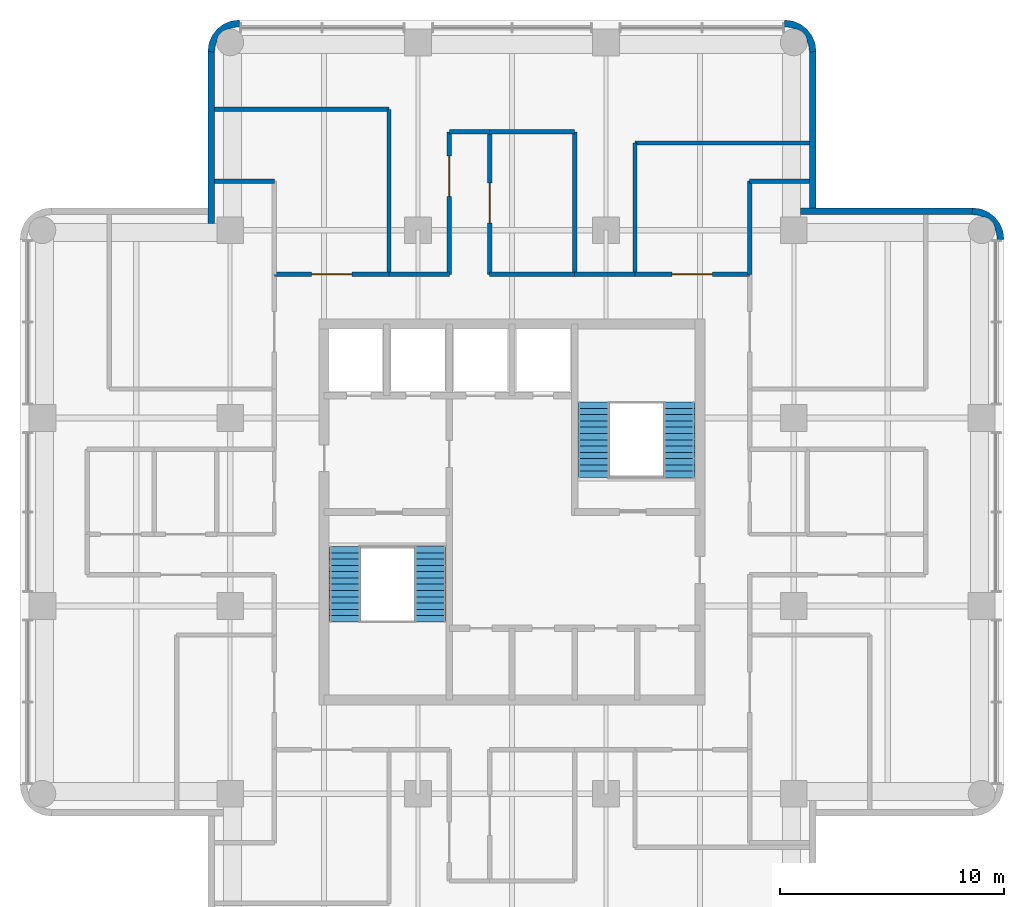
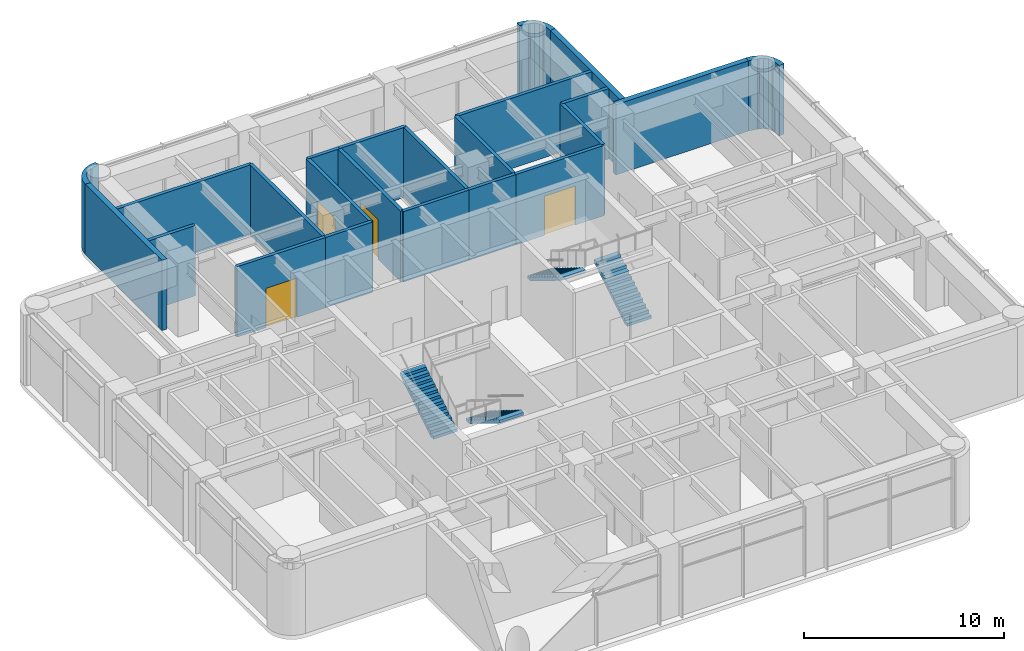
# One storey, part 7 of 8: 23 walls, 4 doors, 4 stair flights, 4 openings, 2 elements without a shape of their own.
"""IFC4 building model written with IfcOpenShell, lengths in metres."""

from ifc_helpers import new_model, si_unit, direction, frame, frame_2d, origin, place, context, subcontext, project, spatial, polyline, rectangle, outline, extrude, material, layer, layer_set, type_object, element, fill, aggregate, save


model = new_model("IFC4")

# Units and contexts
model_context = context("Model", 3, precision=1e-05, world=origin(), true_north=direction((0.0, 1.0)))
body_context = subcontext(model_context, "Body", "Model", "MODEL_VIEW")
ifc_project = project(units=[si_unit("LENGTHUNIT", "METRE"), si_unit("AREAUNIT", "SQUARE_METRE"), si_unit("VOLUMEUNIT", "CUBIC_METRE"), si_unit("PLANEANGLEUNIT", "RADIAN"), si_unit("MASSUNIT", "GRAM", prefix="KILO")], contexts=[model_context])

# Site, building, storey
site_placement = place(None, origin())
site = spatial("IfcSite", under=ifc_project, at=site_placement, CompositionType="ELEMENT")
building_placement = place(site_placement, origin())
building = spatial("IfcBuilding", under=site, at=building_placement, Name="Torre Alcanfor", CompositionType="ELEMENT")
storey_placement = place(building_placement, frame((0.0, 0.0, 305.39990234375)))
storey = spatial("IfcBuildingStorey", under=building, at=storey_placement, Name="L80", CompositionType="ELEMENT", Elevation=305.39990234375)

# Walls
ifc_material_1 = material(Name="Limestone cladding", Category="masonry")
ifc_layer_1 = layer(ifc_material_1, 0.0400390625, Name="Facing")
ifc_material_2 = material(Name="Ventilated air cavity")
ifc_layer_2 = layer(ifc_material_2, 0.02001953125, ventilated=True, Name="Ventilated joint")
ifc_material_3 = material(Name="Mineral wool insulation", Category="insulation")
ifc_layer_3 = layer(ifc_material_3, 0.10009765625, Name="Insulation")
ifc_material_4 = material(Name="Concrete f'c 35 MPa", Category="concrete")
ifc_layer_4 = layer(ifc_material_4, 0.139892578125, Name="Backing")
ifc_layer_set_1 = layer_set([ifc_layer_1, ifc_layer_2, ifc_layer_3, ifc_layer_4], Name="External wall stone-clad 300")
wall_type_1 = type_object("IfcWallType", Name="External wall stone-clad 300", PredefinedType="SOLIDWALL", material=ifc_layer_set_1)
wall_1_placement = place(storey_placement, frame((50.0, 42.85009765625, 0.0), z_axis=(0.0, 0.0, 1.0), x_axis=(-1.0, 0.0, 0.0)))
element("IfcWall", 1, at=wall_1_placement, inside=storey, type_object=wall_type_1, Name="External wall L80 9", PredefinedType="SOLIDWALL", context=body_context, shape_type="SweptSolid", body=[
    extrude(rectangle(XDim=7.699951171875, YDim=0.300048828125, at=frame_2d((3.85009765625, 0.0))), origin(), (0.0, 0.0, 1.0), 4.300048828125),
])
wall_2_placement = place(storey_placement, frame((42.85009765625, 43.0, 0.0), z_axis=(0.0, 0.0, 1.0), x_axis=(0.0, 1.0, 0.0)))
element("IfcWall", 2, at=wall_2_placement, inside=storey, type_object=wall_type_1, Name="External wall L80 10", PredefinedType="SOLIDWALL", context=body_context, shape_type="SweptSolid", body=[
    extrude(rectangle(XDim=7.0, YDim=0.300048828125, at=frame_2d((3.5, 0.0))), origin(), (0.0, 0.0, 1.0), 4.300048828125),
])
wall_3_placement = place(storey_placement, frame((15.949951171875, 50.0, 0.0), z_axis=(0.0, 0.0, 1.0), x_axis=(0.0, -1.0, 0.0)))
element("IfcWall", 3, at=wall_3_placement, inside=storey, type_object=wall_type_1, Name="External wall L80 12", PredefinedType="SOLIDWALL", context=body_context, shape_type="SweptSolid", body=[
    extrude(rectangle(XDim=7.699951171875, YDim=0.300048828125, at=frame_2d((3.85009765625, 0.0))), origin(), (0.0, 0.0, 1.0), 4.300048828125),
])

# Wall, opening, door
ifc_material_5 = material(Name="Concrete block masonry, hollow blocks NMX-C-404 9 MPa", Category="masonry")
ifc_layer_5 = layer(ifc_material_5, 0.199951171875)
ifc_layer_set_2 = layer_set([ifc_layer_5], Name="Plant room wall 200 EI 60")
wall_type_2 = type_object("IfcWallType", Name="Plant room wall 200 EI 60", PredefinedType="PARTITIONING", material=ifc_layer_set_2)
wall_4_placement = place(storey_placement, frame((18.77490234375, 40.02490234375, 0.0), z_axis=(0.0, 0.0, 1.0), x_axis=(1.0, 0.0, 0.0)))
wall_4 = element("IfcWall", 4, at=wall_4_placement, inside=storey, type_object=wall_type_2, Name="Partition L80-CORR / L80-N1", PredefinedType="PARTITIONING", context=body_context, shape_type="SweptSolid", body=[
    extrude(rectangle(XDim=5.125, YDim=0.199951171875, at=frame_2d((2.5625, 0.0))), origin(), (0.0, 0.0, 1.0), 4.300048828125),
])
opening_1_placement = place(wall_4_placement, frame((1.66259765625, 0.0, 0.0)))
opening_1 = element("IfcOpeningElement", 5, at=opening_1_placement, cuts=wall_4, Name="Opening D-P1", PredefinedType="OPENING", context=body_context, shape_type="SweptSolid", body=[
    extrude(rectangle(XDim=1.800048828125, YDim=2.39990234375, at=frame_2d((0.89990234375, 1.199951171875))), frame((0.0, 0.10986328125, 0.0), z_axis=(0.0, -1.0, 0.0), x_axis=(1.0, 0.0, 0.0)), (0.0, 0.0, 1.0), 0.219970703125),
])
ifc_material_6 = material(Name="Galvanised steel sheet ASTM A653", Category="steel")
door_type = type_object("IfcDoorType", Name="Plant room door FD60 1800x2400", OperationType="DOUBLE_DOOR_SINGLE_SWING", PredefinedType="DOOR", material=ifc_material_6)
door_1_placement = place(opening_1_placement, origin())
door_1 = element("IfcDoor", 6, at=door_1_placement, inside=storey, type_object=door_type, Name="Door L80-N1 smoke extract fan plant room", OperationType="DOUBLE_DOOR_SINGLE_SWING", OverallHeight=2.39990234375, OverallWidth=1.800048828125, PredefinedType="DOOR", context=body_context, shape_type="SweptSolid", body=[
    extrude(rectangle(XDim=1.800048828125, YDim=2.39990234375, at=frame_2d((0.89990234375, 1.199951171875))), frame((0.0, 0.02490234375, 0.0), z_axis=(0.0, -1.0, 0.0), x_axis=(1.0, 0.0, 0.0)), (0.0, 0.0, 1.0), 0.050048828125),
])
fill(opening_1, door_1)

wall_5_placement = place(storey_placement, frame((34.89990234375, 40.02490234375, 0.0), z_axis=(0.0, 0.0, 1.0), x_axis=(1.0, 0.0, 0.0)))
wall_5 = element("IfcWall", 7, at=wall_5_placement, inside=storey, type_object=wall_type_2, Name="Partition L80-CORR / L80-N2", PredefinedType="PARTITIONING", context=body_context, shape_type="SweptSolid", body=[
    extrude(rectangle(XDim=5.125, YDim=0.199951171875, at=frame_2d((2.5625, 0.0))), origin(), (0.0, 0.0, 1.0), 4.300048828125),
])
opening_2_placement = place(wall_5_placement, frame((1.66259765625, 0.0, 0.0)))
opening_2 = element("IfcOpeningElement", 8, at=opening_2_placement, cuts=wall_5, Name="Opening D-P1", PredefinedType="OPENING", context=body_context, shape_type="SweptSolid", body=[
    extrude(rectangle(XDim=1.800048828125, YDim=2.39990234375, at=frame_2d((0.89990234375, 1.199951171875))), frame((0.0, 0.10986328125, 0.0), z_axis=(0.0, -1.0, 0.0), x_axis=(1.0, 0.0, 0.0)), (0.0, 0.0, 1.0), 0.219970703125),
])
door_2_placement = place(opening_2_placement, origin())
door_2 = element("IfcDoor", 9, at=door_2_placement, inside=storey, type_object=door_type, Name="Door L80-N2 kitchen extract fan plant room", OperationType="DOUBLE_DOOR_SINGLE_SWING", OverallHeight=2.39990234375, OverallWidth=1.800048828125, PredefinedType="DOOR", context=body_context, shape_type="SweptSolid", body=[
    extrude(rectangle(XDim=1.800048828125, YDim=2.39990234375, at=frame_2d((0.89990234375, 1.199951171875))), frame((0.0, 0.02490234375, 0.0), z_axis=(0.0, -1.0, 0.0), x_axis=(1.0, 0.0, 0.0)), (0.0, 0.0, 1.0), 0.050048828125),
])
fill(opening_2, door_2)

# Walls
wall_6_placement = place(storey_placement, frame((28.39990234375, 40.02490234375, 0.0), z_axis=(0.0, 0.0, 1.0), x_axis=(1.0, 0.0, 0.0)))
element("IfcWall", 10, at=wall_6_placement, inside=storey, type_object=wall_type_2, Name="Partition L80-CORR / L80-N3", PredefinedType="PARTITIONING", context=body_context, shape_type="SweptSolid", body=[
    extrude(rectangle(XDim=3.800048828125, YDim=0.199951171875, at=frame_2d((1.89990234375, 0.0))), origin(), (0.0, 0.0, 1.0), 4.300048828125),
])
wall_7_placement = place(storey_placement, frame((23.89990234375, 40.02490234375, 0.0), z_axis=(0.0, 0.0, 1.0), x_axis=(1.0, 0.0, 0.0)))
element("IfcWall", 11, at=wall_7_placement, inside=storey, type_object=wall_type_2, Name="Partition L80-CORR / L80-NH", PredefinedType="PARTITIONING", context=body_context, shape_type="SweptSolid", body=[
    extrude(rectangle(XDim=2.7001953125, YDim=0.199951171875, at=frame_2d((1.35009765625, 0.0))), origin(), (0.0, 0.0, 1.0), 4.300048828125),
])
wall_8_placement = place(storey_placement, frame((32.199951171875, 40.02490234375, 0.0), z_axis=(0.0, 0.0, 1.0), x_axis=(1.0, 0.0, 0.0)))
element("IfcWall", 12, at=wall_8_placement, inside=storey, type_object=wall_type_2, Name="Partition L80-CORR / L80-NH", PredefinedType="PARTITIONING", context=body_context, shape_type="SweptSolid", body=[
    extrude(rectangle(XDim=2.699951171875, YDim=0.199951171875, at=frame_2d((1.35009765625, 0.0))), origin(), (0.0, 0.0, 1.0), 4.300048828125),
])
wall_9_placement = place(storey_placement, frame((16.10009765625, 47.39990234375, 0.0), z_axis=(0.0, 0.0, 1.0), x_axis=(1.0, 0.0, 0.0)))
element("IfcWall", 13, at=wall_9_placement, inside=storey, type_object=wall_type_2, Name="Partition L80-N1 / L80-NH", PredefinedType="PARTITIONING", context=body_context, shape_type="SweptSolid", body=[
    extrude(rectangle(XDim=7.7998046875, YDim=0.199951171875, at=frame_2d((3.89990234375, 0.0))), origin(), (0.0, 0.0, 1.0), 4.300048828125),
])
wall_10_placement = place(storey_placement, frame((23.89990234375, 47.39990234375, 0.0), z_axis=(0.0, 0.0, 1.0), x_axis=(0.0, -1.0, 0.0)))
element("IfcWall", 14, at=wall_10_placement, inside=storey, type_object=wall_type_2, Name="Partition L80-N1 / L80-NH", PredefinedType="PARTITIONING", context=body_context, shape_type="SweptSolid", body=[
    extrude(rectangle(XDim=7.375, YDim=0.199951171875, at=frame_2d((3.6875, 0.0))), origin(), (0.0, 0.0, 1.0), 4.300048828125),
])
wall_11_placement = place(storey_placement, frame((18.77490234375, 44.199951171875, 0.0), z_axis=(0.0, 0.0, 1.0), x_axis=(-1.0, 0.0, 0.0)))
element("IfcWall", 15, at=wall_11_placement, inside=storey, type_object=wall_type_2, Name="Partition L80-N1 / L80-W2", PredefinedType="PARTITIONING", context=body_context, shape_type="SweptSolid", body=[
    extrude(rectangle(XDim=2.6748046875, YDim=0.199951171875, at=frame_2d((1.33740234375, 0.0))), origin(), (0.0, 0.0, 1.0), 4.300048828125),
])
wall_12_placement = place(storey_placement, frame((34.89990234375, 40.02490234375, 0.0), z_axis=(0.0, 0.0, 1.0), x_axis=(0.0, 1.0, 0.0)))
element("IfcWall", 16, at=wall_12_placement, inside=storey, type_object=wall_type_2, Name="Partition L80-N2 / L80-NH", PredefinedType="PARTITIONING", context=body_context, shape_type="SweptSolid", body=[
    extrude(rectangle(XDim=5.875, YDim=0.199951171875, at=frame_2d((2.9375, 0.0))), origin(), (0.0, 0.0, 1.0), 4.300048828125),
])
wall_13_placement = place(storey_placement, frame((34.89990234375, 45.89990234375, 0.0), z_axis=(0.0, 0.0, 1.0), x_axis=(1.0, 0.0, 0.0)))
element("IfcWall", 17, at=wall_13_placement, inside=storey, type_object=wall_type_2, Name="Partition L80-N2 / L80-NH", PredefinedType="PARTITIONING", context=body_context, shape_type="SweptSolid", body=[
    extrude(rectangle(XDim=7.800048828125, YDim=0.199951171875, at=frame_2d((3.89990234375, 0.0))), origin(), (0.0, 0.0, 1.0), 4.300048828125),
])
wall_14_placement = place(storey_placement, frame((42.699951171875, 44.199951171875, 0.0), z_axis=(0.0, 0.0, 1.0), x_axis=(-1.0, 0.0, 0.0)))
element("IfcWall", 18, at=wall_14_placement, inside=storey, type_object=wall_type_2, Name="Partition L80-N2 / L80-E2", PredefinedType="PARTITIONING", context=body_context, shape_type="SweptSolid", body=[
    extrude(rectangle(XDim=2.675048828125, YDim=0.199951171875, at=frame_2d((1.33740234375, 0.0))), origin(), (0.0, 0.0, 1.0), 4.300048828125),
])
wall_15_placement = place(storey_placement, frame((40.02490234375, 44.199951171875, 0.0), z_axis=(0.0, 0.0, 1.0), x_axis=(0.0, -1.0, 0.0)))
element("IfcWall", 19, at=wall_15_placement, inside=storey, type_object=wall_type_2, Name="Partition L80-N2 / L80-E2", PredefinedType="PARTITIONING", context=body_context, shape_type="SweptSolid", body=[
    extrude(rectangle(XDim=4.175048828125, YDim=0.199951171875, at=frame_2d((2.08740234375, 0.0))), origin(), (0.0, 0.0, 1.0), 4.300048828125),
])

# Wall, opening, door
wall_16_placement = place(storey_placement, frame((28.39990234375, 46.39990234375, 0.0), z_axis=(0.0, 0.0, 1.0), x_axis=(0.0, -1.0, 0.0)))
wall_16 = element("IfcWall", 20, at=wall_16_placement, inside=storey, type_object=wall_type_2, Name="Partition L80-NC / L80-N3", PredefinedType="PARTITIONING", context=body_context, shape_type="SweptSolid", body=[
    extrude(rectangle(XDim=6.375, YDim=0.199951171875, at=frame_2d((3.1875, 0.0))), origin(), (0.0, 0.0, 1.0), 4.300048828125),
])
opening_3_placement = place(wall_16_placement, frame((2.28759765625, 0.0, 0.0)))
opening_3 = element("IfcOpeningElement", 21, at=opening_3_placement, cuts=wall_16, Name="Opening D-P1", PredefinedType="OPENING", context=body_context, shape_type="SweptSolid", body=[
    extrude(rectangle(XDim=1.800048828125, YDim=2.39990234375, at=frame_2d((0.89990234375, 1.199951171875))), frame((0.0, 0.10986328125, 0.0), z_axis=(0.0, -1.0, 0.0), x_axis=(1.0, 0.0, 0.0)), (0.0, 0.0, 1.0), 0.219970703125),
])
door_3_placement = place(opening_3_placement, origin())
door_3 = element("IfcDoor", 22, at=door_3_placement, inside=storey, type_object=door_type, Name="Door L80-N3 plant store", OperationType="DOUBLE_DOOR_SINGLE_SWING", OverallHeight=2.39990234375, OverallWidth=1.800048828125, PredefinedType="DOOR", context=body_context, shape_type="SweptSolid", body=[
    extrude(rectangle(XDim=1.800048828125, YDim=2.39990234375, at=frame_2d((0.89990234375, 1.199951171875))), frame((0.0, 0.02490234375, 0.0), z_axis=(0.0, -1.0, 0.0), x_axis=(1.0, 0.0, 0.0)), (0.0, 0.0, 1.0), 0.050048828125),
])
fill(opening_3, door_3)

wall_17_placement = place(storey_placement, frame((26.60009765625, 40.02490234375, 0.0), z_axis=(0.0, 0.0, 1.0), x_axis=(0.0, 1.0, 0.0)))
wall_17 = element("IfcWall", 23, at=wall_17_placement, inside=storey, type_object=wall_type_2, Name="Partition L80-NC / L80-NH", PredefinedType="PARTITIONING", context=body_context, shape_type="SweptSolid", body=[
    extrude(rectangle(XDim=6.375, YDim=0.199951171875, at=frame_2d((3.1875, 0.0))), origin(), (0.0, 0.0, 1.0), 4.300048828125),
])
opening_4_placement = place(wall_17_placement, frame((3.487548828125, 0.0, 0.0)))
opening_4 = element("IfcOpeningElement", 24, at=opening_4_placement, cuts=wall_17, Name="Opening D-P1", PredefinedType="OPENING", context=body_context, shape_type="SweptSolid", body=[
    extrude(rectangle(XDim=1.800048828125, YDim=2.39990234375, at=frame_2d((0.89990234375, 1.199951171875))), frame((0.0, 0.10986328125, 0.0), z_axis=(0.0, -1.0, 0.0), x_axis=(1.0, 0.0, 0.0)), (0.0, 0.0, 1.0), 0.219970703125),
])
door_4_placement = place(opening_4_placement, origin())
door_4 = element("IfcDoor", 25, at=door_4_placement, inside=storey, type_object=door_type, Name="Door L80-NH air handling plant room", OperationType="DOUBLE_DOOR_SINGLE_SWING", OverallHeight=2.39990234375, OverallWidth=1.800048828125, PredefinedType="DOOR", context=body_context, shape_type="SweptSolid", body=[
    extrude(rectangle(XDim=1.800048828125, YDim=2.39990234375, at=frame_2d((0.89990234375, 1.199951171875))), frame((0.0, 0.02490234375, 0.0), z_axis=(0.0, -1.0, 0.0), x_axis=(1.0, 0.0, 0.0)), (0.0, 0.0, 1.0), 0.050048828125),
])
fill(opening_4, door_4)

# Walls
wall_18_placement = place(storey_placement, frame((26.60009765625, 46.39990234375, 0.0), z_axis=(0.0, 0.0, 1.0), x_axis=(1.0, 0.0, 0.0)))
element("IfcWall", 26, at=wall_18_placement, inside=storey, type_object=wall_type_2, Name="Partition L80-NC / L80-NH", PredefinedType="PARTITIONING", context=body_context, shape_type="SweptSolid", body=[
    extrude(rectangle(XDim=1.7998046875, YDim=0.199951171875, at=frame_2d((0.89990234375, 0.0))), origin(), (0.0, 0.0, 1.0), 4.300048828125),
])
wall_19_placement = place(storey_placement, frame((28.39990234375, 46.39990234375, 0.0), z_axis=(0.0, 0.0, 1.0), x_axis=(1.0, 0.0, 0.0)))
element("IfcWall", 27, at=wall_19_placement, inside=storey, type_object=wall_type_2, Name="Partition L80-N3 / L80-NH", PredefinedType="PARTITIONING", context=body_context, shape_type="SweptSolid", body=[
    extrude(rectangle(XDim=3.800048828125, YDim=0.199951171875, at=frame_2d((1.89990234375, 0.0))), origin(), (0.0, 0.0, 1.0), 4.300048828125),
])
wall_20_placement = place(storey_placement, frame((32.199951171875, 46.39990234375, 0.0), z_axis=(0.0, 0.0, 1.0), x_axis=(0.0, -1.0, 0.0)))
element("IfcWall", 28, at=wall_20_placement, inside=storey, type_object=wall_type_2, Name="Partition L80-N3 / L80-NH", PredefinedType="PARTITIONING", context=body_context, shape_type="SweptSolid", body=[
    extrude(rectangle(XDim=6.375, YDim=0.199951171875, at=frame_2d((3.1875, 0.0))), origin(), (0.0, 0.0, 1.0), 4.300048828125),
])
ifc_layer_6 = layer(ifc_material_1, 0.0400390625, Name="Facing")
ifc_layer_7 = layer(ifc_material_2, 0.02001953125, ventilated=True, Name="Ventilated joint")
ifc_layer_8 = layer(ifc_material_3, 0.10009765625, Name="Insulation")
ifc_layer_9 = layer(ifc_material_4, 0.139892578125, Name="Backing")
ifc_layer_set_3 = layer_set([ifc_layer_6, ifc_layer_7, ifc_layer_8, ifc_layer_9], Name="Rounded corner pier stone-clad 300")
wall_type_3 = type_object("IfcWallType", Name="Rounded corner pier stone-clad 300", PredefinedType="SOLIDWALL", material=ifc_layer_set_3)
wall_21_placement = place(storey_placement, frame((50.975898117, 41.638418254, 0.0), z_axis=(0.0, 0.0, 1.0), x_axis=(0.707106781187, 0.707106781187, 0.0)))
element("IfcWall", 29, at=wall_21_placement, inside=storey, type_object=wall_type_3, Name="Corner pier L80 18", PredefinedType="SOLIDWALL", context=body_context, shape_type="SweptSolid", body=[
    extrude(outline(polyline([(0.23318643990489343, 0.11416555226925765), (0.04674226908422171, -0.12890240376361806), (0.032758956272671336, -0.14288571657516844), (0.27271950945853585, -0.32691301851483145), (0.4952440800028376, -0.03706138628528721), (0.6350772081183413, 0.3006097230899294), (0.682724051772513, 0.6627947882582343), (0.6350772081183413, 1.0253251204095404), (0.4952440800028376, 1.3629962297847569), (0.27271950945853585, 1.6528478620143012), (0.032586322781170685, 1.4686479265831376), (0.04656963559272109, 1.454664613771587), (0.2330138064133928, 1.2115966577387114), (0.2922270939981062, 1.0691740272506984), (0.35800045425984317, 1.0034006669889615), (0.44949620475517277, 0.7824297978681654), (0.4493235712636722, 0.5433324121398039), (0.3578278207683425, 0.32236154301900777), (0.29222709399810615, 0.2567608162487714), (0.23318643990489343, 0.11416555226925765)])), origin(), (0.0, 0.0, 1.0), 4.300048828125),
])
wall_22_placement = place(storey_placement, frame((42.575898117, 50.038418254, 0.0), z_axis=(0.0, 0.0, 1.0), x_axis=(0.707106781187, 0.707106781187, 0.0)))
element("IfcWall", 30, at=wall_22_placement, inside=storey, type_object=wall_type_3, Name="Corner pier L80 19", PredefinedType="SOLIDWALL", context=body_context, shape_type="SweptSolid", body=[
    extrude(outline(polyline([(0.2330138064133928, 0.11420007896755979), (0.0465696355927211, -0.12886787706531594), (0.03258632278117072, -0.14285118987686632), (0.27271950945853585, -0.32705112530802993), (0.4952440800028376, -0.03719949307848569), (0.6350772081183413, 0.3004716162967309), (0.682724051772513, 0.663001948448037), (0.6350772081183413, 1.025187013616342), (0.4952440800028376, 1.3628581229915584), (0.27271950945853596, 1.6527097552211027), (0.032758956272671336, 1.4686824532814398), (0.046742269084221744, 1.4546991404698892), (0.23318643990489346, 1.2116311844370136), (0.2922270939981061, 1.0690359204575), (0.35782782076834246, 1.0034351936872634), (0.4493235712636722, 0.7824643245664674), (0.44949620475517277, 0.543366938838106), (0.3580004542598431, 0.3223960697173099), (0.29222709399810615, 0.2566227094555729), (0.2330138064133928, 0.11420007896755979)])), origin(), (0.0, 0.0, 1.0), 4.300048828125),
])
wall_23_placement = place(storey_placement, frame((17.161581746, 50.975898117, 0.0), z_axis=(0.0, 0.0, 1.0), x_axis=(-0.707106781187, 0.707106781187, 0.0)))
element("IfcWall", 31, at=wall_23_placement, inside=storey, type_object=wall_type_3, Name="Corner pier L80 20", PredefinedType="SOLIDWALL", context=body_context, shape_type="SweptSolid", body=[
    extrude(outline(polyline([(0.04670774238592209, -0.12893693046191768), (0.03272442957437171, -0.14292024327346806), (0.2726849827602362, -0.3269475452131311), (0.495209553304538, -0.03709591298358683), (0.6350426814200417, 0.3005751963916298), (0.6826895250742134, 0.6627602615599347), (0.6350426814200417, 1.0252905937112406), (0.495209553304538, 1.3629617030864574), (0.2726849827602362, 1.6528133353160017), (0.032551796082871065, 1.468613399884838), (0.04653510889442147, 1.4546300870732876), (0.23315191320659384, 1.2117347645319125), (0.2921925672998066, 1.069139500552399), (0.35796592756154355, 1.003366140290662), (0.44946167805687315, 0.7823952711698656), (0.44928904456537255, 0.5432978854415043), (0.3579659275615435, 0.32249964981220874), (0.2921925672998065, 0.2567262895504718), (0.2331519132065938, 0.11413102557095803), (0.04670774238592209, -0.12893693046191768)])), origin(), (0.0, 0.0, 1.0), 4.300048828125),
])

# Stair, stair flights
ifc_material_7 = material(Name="Concrete f'c 35 MPa", Category="concrete")
stair_type_1 = type_object("IfcStairType", Name="Exit stair S1 1400 wide", PredefinedType="HALF_TURN_STAIR", material=ifc_material_7)
stair_1_placement = place(storey_placement, origin())
stair_1 = element("IfcStair", 32, at=stair_1_placement, inside=storey, type_object=stair_type_1, Name="Stair S1 L80 to RF", PredefinedType="HALF_TURN_STAIR")
ifc_material_8 = material(Name="Concrete f'c 35 MPa", Category="concrete")
stair_flight_type = type_object("IfcStairFlightType", Name="Stair flight 1400", PredefinedType="STRAIGHT", material=ifc_material_8)
stair_flight_1_placement = place(storey_placement, frame((25.75, 27.85009765625, 0.0), z_axis=(0.0, 0.0, 1.0), x_axis=(0.0, -1.0, 0.0)))
stair_flight_1 = element("IfcStairFlight", 33, at=stair_flight_1_placement, type_object=stair_flight_type, Name="S1 flight 1", NumberOfRisers=13, NumberOfTreads=12, PredefinedType="STRAIGHT", RiserHeight=0.173076923, TreadLength=0.28, context=body_context, shape_type="SweptSolid", body=[
    extrude(outline(polyline([(0.0, 0.0), (0.0, 0.173095703125), (0.280029296875, 0.173095703125), (0.280029296875, 0.34619140625), (0.56005859375, 0.34619140625), (0.56005859375, 0.519287109375), (0.840087890625, 0.519287109375), (0.840087890625, 0.6923828125), (1.1201171875, 0.6923828125), (1.1201171875, 0.865478515625), (1.39990234375, 0.865478515625), (1.39990234375, 1.03857421875), (1.679931640625, 1.03857421875), (1.679931640625, 1.21142578125), (1.9599609375, 1.21142578125), (1.9599609375, 1.384521484375), (2.239990234375, 1.384521484375), (2.239990234375, 1.5576171875), (2.52001953125, 1.5576171875), (2.52001953125, 1.730712890625), (2.800048828125, 1.730712890625), (2.800048828125, 1.90380859375), (3.080078125, 1.90380859375), (3.080078125, 2.076904296875), (3.360107421875, 2.076904296875), (3.360107421875, 2.25), (3.360107421875, 1.900634765625), (0.28515625, 0.0), (0.0, 0.0)])), frame((0.0, 0.699951171875, 0.0), z_axis=(0.0, -1.0, 0.0), x_axis=(1.0, 0.0, 0.0)), (0.0, 0.0, 1.0), 1.39990234375),
])
stair_flight_2_placement = place(storey_placement, frame((21.925048828125, 24.489990234375, 2.25), z_axis=(0.0, 0.0, 1.0), x_axis=(0.0, 1.0, 0.0)))
stair_flight_2 = element("IfcStairFlight", 34, at=stair_flight_2_placement, type_object=stair_flight_type, Name="S1 flight 2", NumberOfRisers=13, NumberOfTreads=12, PredefinedType="STRAIGHT", RiserHeight=0.173076923, TreadLength=0.28, context=body_context, shape_type="SweptSolid", body=[
    extrude(outline(polyline([(0.0, 0.0), (0.0, 0.173095703125), (0.280029296875, 0.173095703125), (0.280029296875, 0.34619140625), (0.56005859375, 0.34619140625), (0.56005859375, 0.519287109375), (0.840087890625, 0.519287109375), (0.840087890625, 0.6923828125), (1.1201171875, 0.6923828125), (1.1201171875, 0.865478515625), (1.39990234375, 0.865478515625), (1.39990234375, 1.03857421875), (1.679931640625, 1.03857421875), (1.679931640625, 1.21142578125), (1.9599609375, 1.21142578125), (1.9599609375, 1.384521484375), (2.239990234375, 1.384521484375), (2.239990234375, 1.5576171875), (2.52001953125, 1.5576171875), (2.52001953125, 1.730712890625), (2.800048828125, 1.730712890625), (2.800048828125, 1.90380859375), (3.080078125, 1.90380859375), (3.080078125, 2.076904296875), (3.360107421875, 2.076904296875), (3.360107421875, 2.25), (3.360107421875, 1.900634765625), (0.28515625, 0.0), (0.0, 0.0)])), frame((0.0, 0.699951171875, 0.0), z_axis=(0.0, -1.0, 0.0), x_axis=(1.0, 0.0, 0.0)), (0.0, 0.0, 1.0), 1.39990234375),
])
aggregate(stair_1, [stair_flight_1, stair_flight_2])

ifc_material_9 = material(Name="Concrete f'c 35 MPa", Category="concrete")
stair_type_2 = type_object("IfcStairType", Name="Exit stair S2 1400 wide", PredefinedType="HALF_TURN_STAIR", material=ifc_material_9)
stair_2_placement = place(storey_placement, origin())
stair_2 = element("IfcStair", 35, at=stair_2_placement, inside=storey, type_object=stair_type_2, Name="Stair S2 L80 to RF", PredefinedType="HALF_TURN_STAIR")
stair_flight_3_placement = place(storey_placement, frame((36.875, 30.949951171875, 0.0), z_axis=(0.0, 0.0, 1.0), x_axis=(0.0, 1.0, 0.0)))
stair_flight_3 = element("IfcStairFlight", 36, at=stair_flight_3_placement, type_object=stair_flight_type, Name="S2 flight 1", NumberOfRisers=13, NumberOfTreads=12, PredefinedType="STRAIGHT", RiserHeight=0.173076923, TreadLength=0.28, context=body_context, shape_type="SweptSolid", body=[
    extrude(outline(polyline([(0.0, 0.0), (0.0, 0.173095703125), (0.280029296875, 0.173095703125), (0.280029296875, 0.34619140625), (0.56005859375, 0.34619140625), (0.56005859375, 0.519287109375), (0.840087890625, 0.519287109375), (0.840087890625, 0.6923828125), (1.1201171875, 0.6923828125), (1.1201171875, 0.865478515625), (1.39990234375, 0.865478515625), (1.39990234375, 1.03857421875), (1.679931640625, 1.03857421875), (1.679931640625, 1.21142578125), (1.9599609375, 1.21142578125), (1.9599609375, 1.384521484375), (2.239990234375, 1.384521484375), (2.239990234375, 1.5576171875), (2.52001953125, 1.5576171875), (2.52001953125, 1.730712890625), (2.800048828125, 1.730712890625), (2.800048828125, 1.90380859375), (3.080078125, 1.90380859375), (3.080078125, 2.076904296875), (3.360107421875, 2.076904296875), (3.360107421875, 2.25), (3.360107421875, 1.900634765625), (0.28515625, 0.0), (0.0, 0.0)])), frame((0.0, 0.699951171875, 0.0), z_axis=(0.0, -1.0, 0.0), x_axis=(1.0, 0.0, 0.0)), (0.0, 0.0, 1.0), 1.39990234375),
])
stair_flight_4_placement = place(storey_placement, frame((33.050048828125, 34.31005859375, 2.25), z_axis=(0.0, 0.0, 1.0), x_axis=(0.0, -1.0, 0.0)))
stair_flight_4 = element("IfcStairFlight", 37, at=stair_flight_4_placement, type_object=stair_flight_type, Name="S2 flight 2", NumberOfRisers=13, NumberOfTreads=12, PredefinedType="STRAIGHT", RiserHeight=0.173076923, TreadLength=0.28, context=body_context, shape_type="SweptSolid", body=[
    extrude(outline(polyline([(0.0, 0.0), (0.0, 0.173095703125), (0.280029296875, 0.173095703125), (0.280029296875, 0.34619140625), (0.56005859375, 0.34619140625), (0.56005859375, 0.519287109375), (0.840087890625, 0.519287109375), (0.840087890625, 0.6923828125), (1.1201171875, 0.6923828125), (1.1201171875, 0.865478515625), (1.39990234375, 0.865478515625), (1.39990234375, 1.03857421875), (1.679931640625, 1.03857421875), (1.679931640625, 1.21142578125), (1.9599609375, 1.21142578125), (1.9599609375, 1.384521484375), (2.239990234375, 1.384521484375), (2.239990234375, 1.5576171875), (2.52001953125, 1.5576171875), (2.52001953125, 1.730712890625), (2.800048828125, 1.730712890625), (2.800048828125, 1.90380859375), (3.080078125, 1.90380859375), (3.080078125, 2.076904296875), (3.360107421875, 2.076904296875), (3.360107421875, 2.25), (3.360107421875, 1.900634765625), (0.28515625, 0.0), (0.0, 0.0)])), frame((0.0, 0.699951171875, 0.0), z_axis=(0.0, -1.0, 0.0), x_axis=(1.0, 0.0, 0.0)), (0.0, 0.0, 1.0), 1.39990234375),
])
aggregate(stair_2, [stair_flight_3, stair_flight_4])

save(model, "model.ifc")
